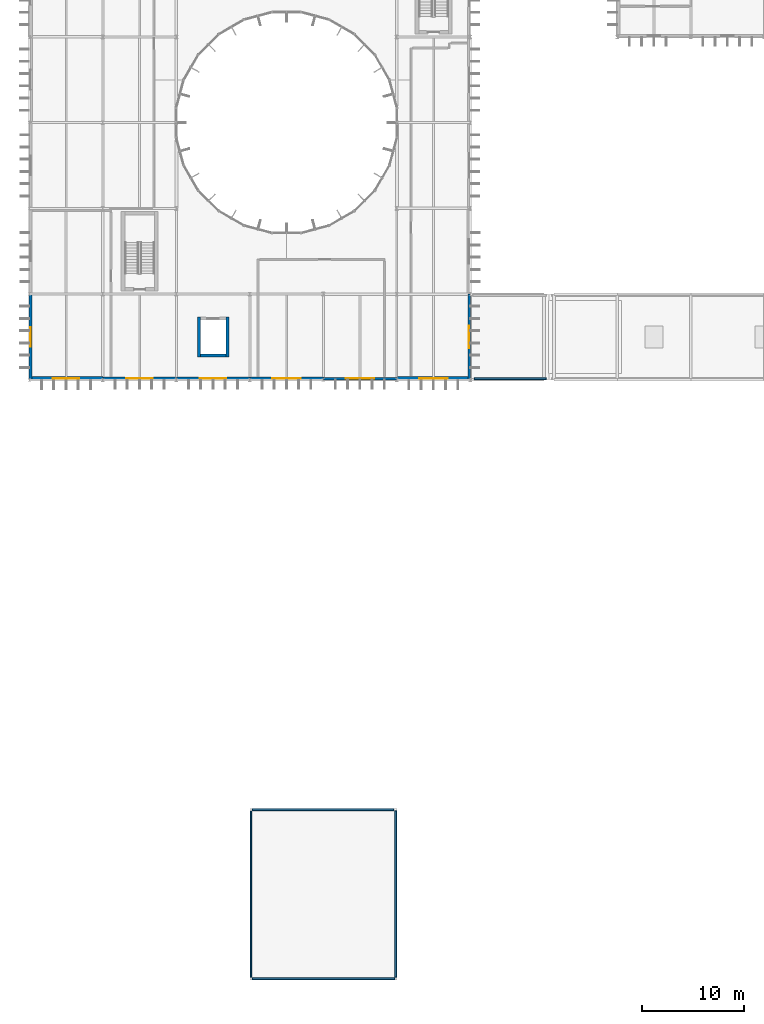
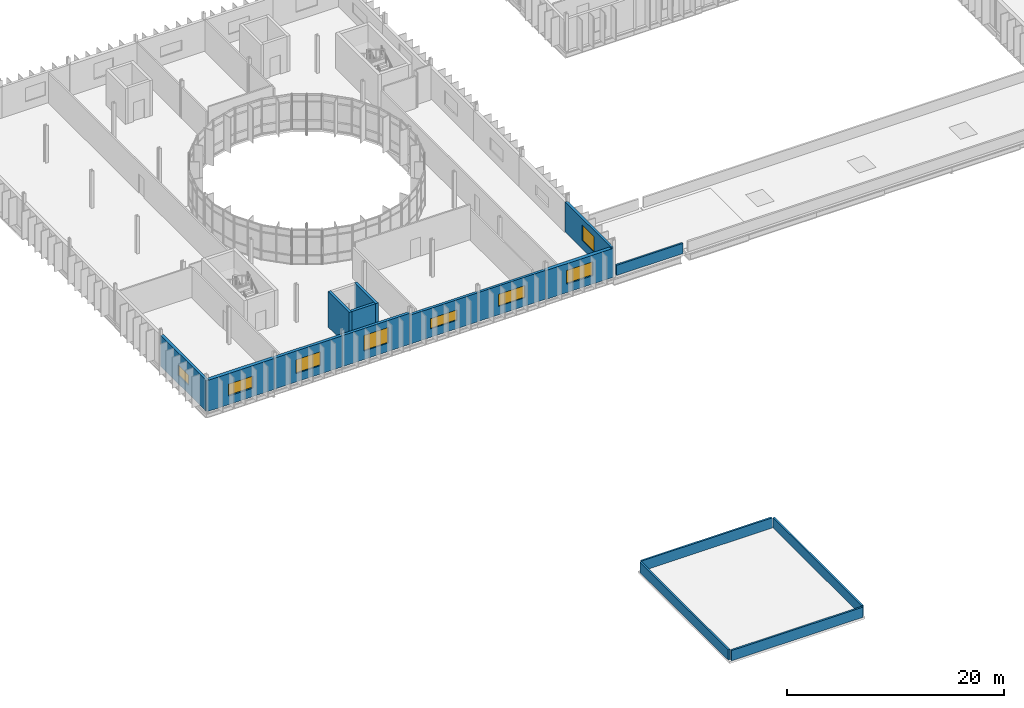
# One storey, part 42 of 61: 16 walls, 8 windows, 8 openings.
"""IFC4 building model written with IfcOpenShell, lengths in metres."""

from ifc_helpers import new_model, si_unit, direction, frame, frame_2d, origin, place, context, subcontext, project, spatial, rectangle, extrude, material, layer, layer_set, type_object, element, fill, save


model = new_model("IFC4")

# Units and contexts
model_context = context("Model", 3, precision=1e-05, world=origin(), true_north=direction((0.0, 1.0)))
body_context = subcontext(model_context, "Body", "Model", "MODEL_VIEW")
ifc_project = project(units=[si_unit("LENGTHUNIT", "METRE"), si_unit("AREAUNIT", "SQUARE_METRE"), si_unit("VOLUMEUNIT", "CUBIC_METRE"), si_unit("PLANEANGLEUNIT", "RADIAN"), si_unit("MASSUNIT", "GRAM", prefix="KILO")], contexts=[model_context])

# Site, building, storey
site_placement = place(None, origin())
site = spatial("IfcSite", under=ifc_project, at=site_placement, CompositionType="ELEMENT")
building_placement = place(site_placement, origin())
building = spatial("IfcBuilding", under=site, at=building_placement, Name="Qelthora Terrace Specialist Clinic", CompositionType="ELEMENT")
storey_placement = place(building_placement, frame((0.0, 0.0, 13.199951171875)))
storey = spatial("IfcBuildingStorey", under=building, at=storey_placement, Name="L03", CompositionType="ELEMENT", Elevation=13.199951171875)

# Walls
ifc_material_1 = material(Name="Concrete C40/50", Category="concrete")
ifc_layer_1 = layer(ifc_material_1, 0.300048828125)
ifc_layer_set_1 = layer_set([ifc_layer_1], Name="Concrete C40/50")
wall_type_1 = type_object("IfcWallType", Name="WAL-CORE-300-C40", PredefinedType="SHEAR", material=ifc_layer_set_1)
for number, where, z_axis, x_axis, name in (
    (1, (16.60009765625, 61.050048828125, 0.0), (0.0, 0.0, 1.0), (0.0, 1.0, 0.0), "Lift SL-01 L03 west shaft wall"),
    (2, (19.39990234375, 61.050048828125, 0.0), (0.0, 0.0, 1.0), (0.0, 1.0, 0.0), "Lift SL-01 L03 east shaft wall"),
):
    element("IfcWall", number, at=place(storey_placement, frame(where, z_axis=z_axis, x_axis=x_axis)), inside=storey, type_object=wall_type_1, Name=name, PredefinedType="SHEAR", context=body_context, shape_type="SweptSolid", body=[
        extrude(rectangle(XDim=3.89990234375, YDim=0.300048828125, at=frame_2d((1.949951171875, 0.0))), origin(), (0.0, 0.0, 1.0), 3.989990234375),
    ])
wall_1_placement = place(storey_placement, frame((16.75, 61.199951171875, 0.0), z_axis=(0.0, 0.0, 1.0), x_axis=(1.0, 0.0, 0.0)))
element("IfcWall", 3, at=wall_1_placement, inside=storey, type_object=wall_type_1, Name="Lift SL-01 L03 south shaft wall", PredefinedType="SHEAR", context=body_context, shape_type="SweptSolid", body=[
    extrude(rectangle(XDim=2.5, YDim=0.300048828125, at=frame_2d((1.25, 0.0))), origin(), (0.0, 0.0, 1.0), 3.989990234375),
])

# Wall, opening, window
ifc_material_2 = material(Name="Precast concrete C40/50", Category="concrete")
ifc_layer_2 = layer(ifc_material_2, 0.260009765625)
ifc_layer_set_2 = layer_set([ifc_layer_2], Name="Precast concrete C40/50")
wall_type_2 = type_object("IfcWallType", Name="WAL-EXT-260-PC40", PredefinedType="SOLIDWALL", material=ifc_layer_set_2)
wall_2_placement = place(storey_placement, frame((43.080078125, 58.800048828125, 0.0), z_axis=(0.0, 0.0, 1.0), x_axis=(0.0, 1.0, 0.0)))
wall_2 = element("IfcWall", 4, at=wall_2_placement, inside=storey, type_object=wall_type_2, Name="L03 external precast wall 334", PredefinedType="SOLIDWALL", context=body_context, shape_type="SweptSolid", body=[
    extrude(rectangle(XDim=8.39990234375, YDim=0.260009765625, at=frame_2d((4.199951171875, 0.0))), origin(), (0.0, 0.0, 1.0), 3.405029296875),
])
opening_1_placement = place(wall_2_placement, frame((3.074951171875, 0.0, 0.949951171875)))
opening_1 = element("IfcOpeningElement", 5, at=opening_1_placement, cuts=wall_2, Name="Opening WN-L03-292", PredefinedType="OPENING", context=body_context, shape_type="SweptSolid", body=[
    extrude(rectangle(XDim=2.25, YDim=1.75, at=frame_2d((1.125, 0.875))), frame((0.0, 0.139892578125, 0.0), z_axis=(0.0, -1.0, 0.0), x_axis=(1.0, 0.0, 0.0)), (0.0, 0.0, 1.0), 0.280029296875),
])
ifc_material_3 = material(Name="Low-E triple-silver insulating glass", Category="glass")
window_type_1 = type_object("IfcWindowType", Name="WIN-2250X1750", PartitioningType="DOUBLE_PANEL_VERTICAL", PredefinedType="WINDOW", material=ifc_material_3)
window_1_placement = place(opening_1_placement, origin())
window_1 = element("IfcWindow", 6, at=window_1_placement, inside=storey, type_object=window_type_1, Name="Clinical window WN-L03-292", OverallHeight=1.75, OverallWidth=2.25, PartitioningType="SINGLE_PANEL", PredefinedType="WINDOW", context=body_context, shape_type="SweptSolid", body=[
    extrude(rectangle(XDim=2.25, YDim=1.75, at=frame_2d((1.125, 0.875))), frame((0.0, 0.030029296875, 0.0), z_axis=(0.0, -1.0, 0.0), x_axis=(1.0, 0.0, 0.0)), (0.0, 0.0, 1.0), 0.06005859375),
])
fill(opening_1, window_1)

wall_3_placement = place(storey_placement, frame((28.800048828125, 58.919921875, 0.0), z_axis=(0.0, 0.0, 1.0), x_axis=(1.0, 0.0, 0.0)))
wall_3 = element("IfcWall", 7, at=wall_3_placement, inside=storey, type_object=wall_type_2, Name="L03 external precast wall 344", PredefinedType="SOLIDWALL", context=body_context, shape_type="SweptSolid", body=[
    extrude(rectangle(XDim=7.199951171875, YDim=0.260009765625, at=frame_2d((3.60009765625, 0.0))), origin(), (0.0, 0.0, 1.0), 3.2490234375),
])
opening_2_placement = place(wall_3_placement, frame((2.199951171875, 0.0, 0.949951171875)))
opening_2 = element("IfcOpeningElement", 8, at=opening_2_placement, cuts=wall_3, Name="Opening WN-L03-302", PredefinedType="OPENING", context=body_context, shape_type="SweptSolid", body=[
    extrude(rectangle(XDim=2.800048828125, YDim=1.35009765625, at=frame_2d((1.39990234375, 0.675048828125))), frame((0.0, 0.139892578125, 0.0), z_axis=(0.0, -1.0, 0.0), x_axis=(1.0, 0.0, 0.0)), (0.0, 0.0, 1.0), 0.280029296875),
])
window_type_2 = type_object("IfcWindowType", Name="WIN-2800X1350", PartitioningType="DOUBLE_PANEL_VERTICAL", PredefinedType="WINDOW", material=ifc_material_3)
window_2_placement = place(opening_2_placement, origin())
window_2 = element("IfcWindow", 9, at=window_2_placement, inside=storey, type_object=window_type_2, Name="Clinical window WN-L03-302", OverallHeight=1.35009765625, OverallWidth=2.800048828125, PartitioningType="SINGLE_PANEL", PredefinedType="WINDOW", context=body_context, shape_type="SweptSolid", body=[
    extrude(rectangle(XDim=2.800048828125, YDim=1.35009765625, at=frame_2d((1.39990234375, 0.675048828125))), frame((0.0, 0.030029296875, 0.0), z_axis=(0.0, -1.0, 0.0), x_axis=(1.0, 0.0, 0.0)), (0.0, 0.0, 1.0), 0.06005859375),
])
fill(opening_2, window_2)

ifc_layer_3 = layer(ifc_material_2, 0.280029296875)
ifc_layer_set_3 = layer_set([ifc_layer_3], Name="Precast concrete C40/50")
wall_type_3 = type_object("IfcWallType", Name="WAL-EXT-280-PC40", PredefinedType="SOLIDWALL", material=ifc_layer_set_3)
wall_4_placement = place(storey_placement, frame((21.60009765625, 58.919921875, 0.0), z_axis=(0.0, 0.0, 1.0), x_axis=(1.0, 0.0, 0.0)))
wall_4 = element("IfcWall", 10, at=wall_4_placement, inside=storey, type_object=wall_type_3, Name="L03 external precast wall 343", PredefinedType="SOLIDWALL", context=body_context, shape_type="SweptSolid", body=[
    extrude(rectangle(XDim=7.199951171875, YDim=0.280029296875, at=frame_2d((3.60009765625, 0.0))), origin(), (0.0, 0.0, 1.0), 3.2490234375),
])
opening_3_placement = place(wall_4_placement, frame((2.199951171875, 0.0, 0.949951171875)))
opening_3 = element("IfcOpeningElement", 11, at=opening_3_placement, cuts=wall_4, Name="Opening WN-L03-301", PredefinedType="OPENING", context=body_context, shape_type="SweptSolid", body=[
    extrude(rectangle(XDim=2.800048828125, YDim=1.14990234375, at=frame_2d((1.39990234375, 0.574951171875))), frame((0.0, 0.14990234375, 0.0), z_axis=(0.0, -1.0, 0.0), x_axis=(1.0, 0.0, 0.0)), (0.0, 0.0, 1.0), 0.300048828125),
])
window_type_3 = type_object("IfcWindowType", Name="WIN-2800X1150", PartitioningType="DOUBLE_PANEL_VERTICAL", PredefinedType="WINDOW", material=ifc_material_3)
window_3_placement = place(opening_3_placement, origin())
window_3 = element("IfcWindow", 12, at=window_3_placement, inside=storey, type_object=window_type_3, Name="Clinical window WN-L03-301", OverallHeight=1.14990234375, OverallWidth=2.800048828125, PartitioningType="SINGLE_PANEL", PredefinedType="WINDOW", context=body_context, shape_type="SweptSolid", body=[
    extrude(rectangle(XDim=2.800048828125, YDim=1.14990234375, at=frame_2d((1.39990234375, 0.574951171875))), frame((0.0, 0.030029296875, 0.0), z_axis=(0.0, -1.0, 0.0), x_axis=(1.0, 0.0, 0.0)), (0.0, 0.0, 1.0), 0.06005859375),
])
fill(opening_3, window_3)

ifc_layer_4 = layer(ifc_material_2, 0.300048828125)
ifc_layer_set_4 = layer_set([ifc_layer_4], Name="Precast concrete C40/50")
wall_type_4 = type_object("IfcWallType", Name="WAL-EXT-300-PC40", PredefinedType="SOLIDWALL", material=ifc_layer_set_4)
wall_5_placement = place(storey_placement, frame((0.1201171875, 58.800048828125, 0.0), z_axis=(0.0, 0.0, 1.0), x_axis=(0.0, 1.0, 0.0)))
wall_5 = element("IfcWall", 13, at=wall_5_placement, inside=storey, type_object=wall_type_4, Name="L03 external precast wall 322", PredefinedType="SOLIDWALL", context=body_context, shape_type="SweptSolid", body=[
    extrude(rectangle(XDim=8.39990234375, YDim=0.300048828125, at=frame_2d((4.199951171875, 0.0))), origin(), (0.0, 0.0, 1.0), 3.48193359375),
])
opening_4_placement = place(wall_5_placement, frame((3.22509765625, 0.0, 0.949951171875)))
opening_4 = element("IfcOpeningElement", 14, at=opening_4_placement, cuts=wall_5, Name="Opening WN-L03-281", PredefinedType="OPENING", context=body_context, shape_type="SweptSolid", body=[
    extrude(rectangle(XDim=1.949951171875, YDim=1.14990234375, at=frame_2d((0.97509765625, 0.574951171875))), frame((0.0, 0.159912109375, 0.0), z_axis=(0.0, -1.0, 0.0), x_axis=(1.0, 0.0, 0.0)), (0.0, 0.0, 1.0), 0.320068359375),
])
window_type_4 = type_object("IfcWindowType", Name="WIN-1950X1150", PartitioningType="DOUBLE_PANEL_VERTICAL", PredefinedType="WINDOW", material=ifc_material_3)
window_4_placement = place(opening_4_placement, origin())
window_4 = element("IfcWindow", 15, at=window_4_placement, inside=storey, type_object=window_type_4, Name="Clinical window WN-L03-281", OverallHeight=1.14990234375, OverallWidth=1.949951171875, PartitioningType="SINGLE_PANEL", PredefinedType="WINDOW", context=body_context, shape_type="SweptSolid", body=[
    extrude(rectangle(XDim=1.949951171875, YDim=1.14990234375, at=frame_2d((0.97509765625, 0.574951171875))), frame((0.0, 0.030029296875, 0.0), z_axis=(0.0, -1.0, 0.0), x_axis=(1.0, 0.0, 0.0)), (0.0, 0.0, 1.0), 0.06005859375),
])
fill(opening_4, window_4)

wall_6_placement = place(storey_placement, frame((14.39990234375, 58.919921875, 0.0), z_axis=(0.0, 0.0, 1.0), x_axis=(1.0, 0.0, 0.0)))
wall_6 = element("IfcWall", 16, at=wall_6_placement, inside=storey, type_object=wall_type_4, Name="L03 external precast wall 342", PredefinedType="SOLIDWALL", context=body_context, shape_type="SweptSolid", body=[
    extrude(rectangle(XDim=7.2001953125, YDim=0.300048828125, at=frame_2d((3.60009765625, 0.0))), origin(), (0.0, 0.0, 1.0), 3.48193359375),
])
opening_5_placement = place(wall_6_placement, frame((2.300048828125, 0.0, 0.949951171875)))
opening_5 = element("IfcOpeningElement", 17, at=opening_5_placement, cuts=wall_6, Name="Opening WN-L03-300", PredefinedType="OPENING", context=body_context, shape_type="SweptSolid", body=[
    extrude(rectangle(XDim=2.60009765625, YDim=1.75, at=frame_2d((1.300048828125, 0.875))), frame((0.0, 0.159912109375, 0.0), z_axis=(0.0, -1.0, 0.0), x_axis=(1.0, 0.0, 0.0)), (0.0, 0.0, 1.0), 0.320068359375),
])
window_type_5 = type_object("IfcWindowType", Name="WIN-2600X1750", PartitioningType="DOUBLE_PANEL_VERTICAL", PredefinedType="WINDOW", material=ifc_material_3)
window_5_placement = place(opening_5_placement, origin())
window_5 = element("IfcWindow", 18, at=window_5_placement, inside=storey, type_object=window_type_5, Name="Clinical window WN-L03-300", OverallHeight=1.75, OverallWidth=2.60009765625, PartitioningType="SINGLE_PANEL", PredefinedType="WINDOW", context=body_context, shape_type="SweptSolid", body=[
    extrude(rectangle(XDim=2.60009765625, YDim=1.75, at=frame_2d((1.300048828125, 0.875))), frame((0.0, 0.030029296875, 0.0), z_axis=(0.0, -1.0, 0.0), x_axis=(1.0, 0.0, 0.0)), (0.0, 0.0, 1.0), 0.06005859375),
])
fill(opening_5, window_5)

ifc_layer_5 = layer(ifc_material_2, 0.320068359375)
ifc_layer_set_5 = layer_set([ifc_layer_5], Name="Precast concrete C40/50")
wall_type_5 = type_object("IfcWallType", Name="WAL-EXT-320-PC40", PredefinedType="SOLIDWALL", material=ifc_layer_set_5)
wall_7_placement = place(storey_placement, frame((7.199951171875, 58.919921875, 0.0), z_axis=(0.0, 0.0, 1.0), x_axis=(1.0, 0.0, 0.0)))
wall_7 = element("IfcWall", 19, at=wall_7_placement, inside=storey, type_object=wall_type_5, Name="L03 external precast wall 341", PredefinedType="SOLIDWALL", context=body_context, shape_type="SweptSolid", body=[
    extrude(rectangle(XDim=7.199951171875, YDim=0.320068359375, at=frame_2d((3.60009765625, 0.0))), origin(), (0.0, 0.0, 1.0), 3.48193359375),
])
opening_6_placement = place(wall_7_placement, frame((2.300048828125, 0.0, 0.949951171875)))
opening_6 = element("IfcOpeningElement", 20, at=opening_6_placement, cuts=wall_7, Name="Opening WN-L03-299", PredefinedType="OPENING", context=body_context, shape_type="SweptSolid", body=[
    extrude(rectangle(XDim=2.60009765625, YDim=1.550048828125, at=frame_2d((1.300048828125, 0.77490234375))), frame((0.0, 0.169921875, 0.0), z_axis=(0.0, -1.0, 0.0), x_axis=(1.0, 0.0, 0.0)), (0.0, 0.0, 1.0), 0.340087890625),
])
window_type_6 = type_object("IfcWindowType", Name="WIN-2600X1550", PartitioningType="DOUBLE_PANEL_VERTICAL", PredefinedType="WINDOW", material=ifc_material_3)
window_6_placement = place(opening_6_placement, origin())
window_6 = element("IfcWindow", 21, at=window_6_placement, inside=storey, type_object=window_type_6, Name="Clinical window WN-L03-299", OverallHeight=1.550048828125, OverallWidth=2.60009765625, PartitioningType="SINGLE_PANEL", PredefinedType="WINDOW", context=body_context, shape_type="SweptSolid", body=[
    extrude(rectangle(XDim=2.60009765625, YDim=1.550048828125, at=frame_2d((1.300048828125, 0.77490234375))), frame((0.0, 0.030029296875, 0.0), z_axis=(0.0, -1.0, 0.0), x_axis=(1.0, 0.0, 0.0)), (0.0, 0.0, 1.0), 0.06005859375),
])
fill(opening_6, window_6)

ifc_layer_6 = layer(ifc_material_2, 0.3798828125)
ifc_layer_set_6 = layer_set([ifc_layer_6], Name="Precast concrete C40/50")
wall_type_6 = type_object("IfcWallType", Name="WAL-EXT-380-PC40", PredefinedType="SOLIDWALL", material=ifc_layer_set_6)
wall_8_placement = place(storey_placement, frame((0.0, 58.919921875, 0.0), z_axis=(0.0, 0.0, 1.0), x_axis=(1.0, 0.0, 0.0)))
wall_8 = element("IfcWall", 22, at=wall_8_placement, inside=storey, type_object=wall_type_6, Name="L03 external precast wall 340", PredefinedType="SOLIDWALL", context=body_context, shape_type="SweptSolid", body=[
    extrude(rectangle(XDim=7.199951171875, YDim=0.3798828125, at=frame_2d((3.60009765625, 0.0))), origin(), (0.0, 0.0, 1.0), 3.48193359375),
])
opening_7_placement = place(wall_8_placement, frame((2.300048828125, 0.0, 0.949951171875)))
opening_7 = element("IfcOpeningElement", 23, at=opening_7_placement, cuts=wall_8, Name="Opening WN-L03-298", PredefinedType="OPENING", context=body_context, shape_type="SweptSolid", body=[
    extrude(rectangle(XDim=2.60009765625, YDim=1.35009765625, at=frame_2d((1.300048828125, 0.675048828125))), frame((0.0, 0.199951171875, 0.0), z_axis=(0.0, -1.0, 0.0), x_axis=(1.0, 0.0, 0.0)), (0.0, 0.0, 1.0), 0.39990234375),
])
window_type_7 = type_object("IfcWindowType", Name="WIN-2600X1350", PartitioningType="DOUBLE_PANEL_VERTICAL", PredefinedType="WINDOW", material=ifc_material_3)
window_7_placement = place(opening_7_placement, origin())
window_7 = element("IfcWindow", 24, at=window_7_placement, inside=storey, type_object=window_type_7, Name="Clinical window WN-L03-298", OverallHeight=1.35009765625, OverallWidth=2.60009765625, PartitioningType="SINGLE_PANEL", PredefinedType="WINDOW", context=body_context, shape_type="SweptSolid", body=[
    extrude(rectangle(XDim=2.60009765625, YDim=1.35009765625, at=frame_2d((1.300048828125, 0.675048828125))), frame((0.0, 0.030029296875, 0.0), z_axis=(0.0, -1.0, 0.0), x_axis=(1.0, 0.0, 0.0)), (0.0, 0.0, 1.0), 0.06005859375),
])
fill(opening_7, window_7)

wall_9_placement = place(storey_placement, frame((36.0, 58.919921875, 0.0), z_axis=(0.0, 0.0, 1.0), x_axis=(1.0, 0.0, 0.0)))
wall_9 = element("IfcWall", 25, at=wall_9_placement, inside=storey, type_object=wall_type_6, Name="L03 external precast wall 345", PredefinedType="SOLIDWALL", context=body_context, shape_type="SweptSolid", body=[
    extrude(rectangle(XDim=7.199951171875, YDim=0.3798828125, at=frame_2d((3.60009765625, 0.0))), origin(), (0.0, 0.0, 1.0), 3.2490234375),
])
opening_8_placement = place(wall_9_placement, frame((2.199951171875, 0.0, 0.949951171875)))
opening_8 = element("IfcOpeningElement", 26, at=opening_8_placement, cuts=wall_9, Name="Opening WN-L03-303", PredefinedType="OPENING", context=body_context, shape_type="SweptSolid", body=[
    extrude(rectangle(XDim=2.800048828125, YDim=1.550048828125, at=frame_2d((1.39990234375, 0.77490234375))), frame((0.0, 0.199951171875, 0.0), z_axis=(0.0, -1.0, 0.0), x_axis=(1.0, 0.0, 0.0)), (0.0, 0.0, 1.0), 0.39990234375),
])
window_type_8 = type_object("IfcWindowType", Name="WIN-2800X1550", PartitioningType="DOUBLE_PANEL_VERTICAL", PredefinedType="WINDOW", material=ifc_material_3)
window_8_placement = place(opening_8_placement, origin())
window_8 = element("IfcWindow", 27, at=window_8_placement, inside=storey, type_object=window_type_8, Name="Clinical window WN-L03-303", OverallHeight=1.550048828125, OverallWidth=2.800048828125, PartitioningType="SINGLE_PANEL", PredefinedType="WINDOW", context=body_context, shape_type="SweptSolid", body=[
    extrude(rectangle(XDim=2.800048828125, YDim=1.550048828125, at=frame_2d((1.39990234375, 0.77490234375))), frame((0.0, 0.030029296875, 0.0), z_axis=(0.0, -1.0, 0.0), x_axis=(1.0, 0.0, 0.0)), (0.0, 0.0, 1.0), 0.06005859375),
])
fill(opening_8, window_8)

# Walls
ifc_layer_7 = layer(ifc_material_2, 0.18994140625)
ifc_layer_set_7 = layer_set([ifc_layer_7], Name="Precast concrete C40/50")
wall_type_7 = type_object("IfcWallType", Name="WAL-PAR-190-PC40", PredefinedType="PARAPET", material=ifc_layer_set_7)
wall_10_placement = place(storey_placement, frame((21.820068359375, 0.110107421875, 0.0), z_axis=(0.0, 0.0, 1.0), x_axis=(1.0, 0.0, 0.0)))
element("IfcWall", 28, at=wall_10_placement, inside=storey, type_object=wall_type_7, Name="Roof perimeter parapet ROOF-V2-GDNLOB-1", PredefinedType="PARAPET", context=body_context, shape_type="SweptSolid", body=[
    extrude(rectangle(XDim=13.9599609375, YDim=0.18994140625, at=frame_2d((6.97998046875, 0.0))), origin(), (0.0, 0.0, 1.0), 1.150146484375),
])
wall_11_placement = place(storey_placement, frame((35.889892578125, 0.277099609375, 0.0), z_axis=(0.0, 0.0, 1.0), x_axis=(0.0, 1.0, 0.0)))
element("IfcWall", 29, at=wall_11_placement, inside=storey, type_object=wall_type_7, Name="Roof perimeter parapet ROOF-V2-GDNLOB-2", PredefinedType="PARAPET", context=body_context, shape_type="SweptSolid", body=[
    extrude(rectangle(XDim=16.302978515625, YDim=0.18994140625, at=frame_2d((8.1513671875, 0.0))), origin(), (0.0, 0.0, 1.0), 1.150146484375),
])
wall_12_placement = place(storey_placement, frame((35.722900390625, 16.68994140625, 0.0), z_axis=(0.0, 0.0, 1.0), x_axis=(-1.0, 0.0, 0.0)))
element("IfcWall", 30, at=wall_12_placement, inside=storey, type_object=wall_type_7, Name="Roof perimeter parapet ROOF-V2-GDNLOB-3", PredefinedType="PARAPET", context=body_context, shape_type="SweptSolid", body=[
    extrude(rectangle(XDim=13.90283203125, YDim=0.18994140625, at=frame_2d((6.951416015625, 0.0))), origin(), (0.0, 0.0, 1.0), 1.150146484375),
])
wall_13_placement = place(storey_placement, frame((21.7099609375, 16.52294921875, 0.0), z_axis=(0.0, 0.0, 1.0), x_axis=(0.0, -1.0, 0.0)))
element("IfcWall", 31, at=wall_13_placement, inside=storey, type_object=wall_type_7, Name="Roof perimeter parapet ROOF-V2-GDNLOB-4", PredefinedType="PARAPET", context=body_context, shape_type="SweptSolid", body=[
    extrude(rectangle(XDim=16.245849609375, YDim=0.18994140625, at=frame_2d((8.123046875, 0.0))), origin(), (0.0, 0.0, 1.0), 1.150146484375),
])
wall_14_placement = place(storey_placement, frame((50.6298828125, 58.909912109375, 0.0), z_axis=(0.0, 0.0, 1.0), x_axis=(-1.0, 0.0, 0.0)))
element("IfcWall", 32, at=wall_14_placement, inside=storey, type_object=wall_type_7, Name="Roof perimeter parapet ROOF-V7-BRGW-1-1", PredefinedType="PARAPET", context=body_context, shape_type="SweptSolid", body=[
    extrude(rectangle(XDim=7.060302734375, YDim=0.18994140625, at=frame_2d((3.5302734375, 0.0))), origin(), (0.0, 0.0, 1.0), 1.150146484375),
])

save(model, "model.ifc")
